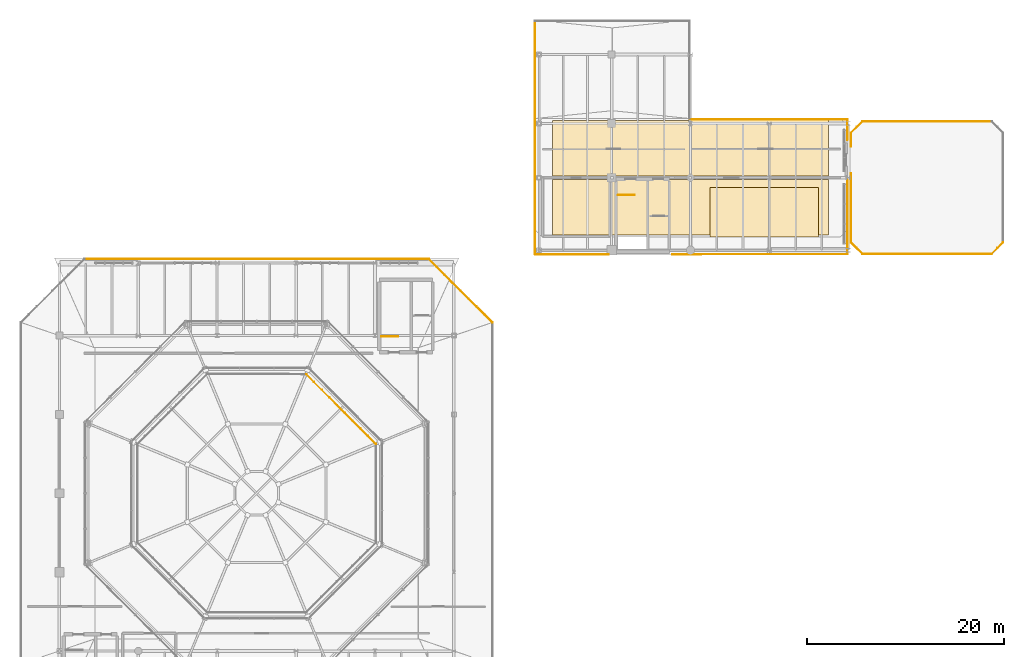
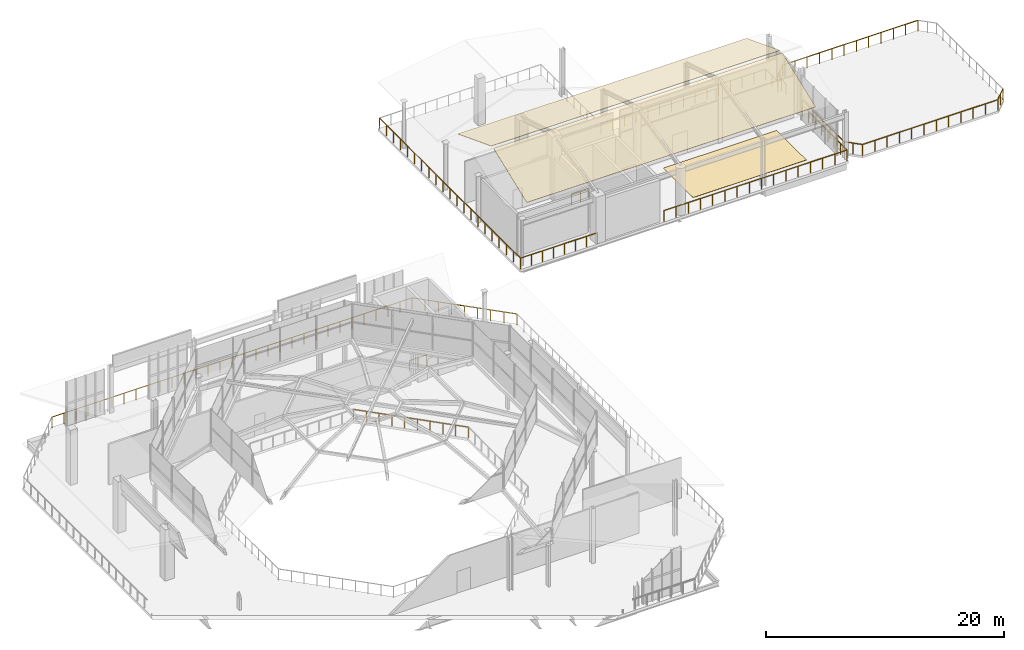
# One storey, part 29 of 30: 18 railings, 3 coverings.
"""IFC4 building model written with IfcOpenShell, lengths in metres."""

from ifc_helpers import new_model, si_unit, direction, frame, origin, origin_2d, place, context, subcontext, project, spatial, polyline, rectangle, circle, outline, extrude, material, layer, layer_set, type_object, element, save


model = new_model("IFC4")

# Units and contexts
model_context = context("Model", 3, precision=1e-05, world=origin(), true_north=direction((0.0, 1.0)))
body_context = subcontext(model_context, "Body", "Model", "MODEL_VIEW")
ifc_project = project(units=[si_unit("LENGTHUNIT", "METRE"), si_unit("AREAUNIT", "SQUARE_METRE"), si_unit("VOLUMEUNIT", "CUBIC_METRE"), si_unit("PLANEANGLEUNIT", "RADIAN"), si_unit("MASSUNIT", "GRAM", prefix="KILO")], contexts=[model_context])

# Site, building, storey
site_placement = place(None, origin())
site = spatial("IfcSite", under=ifc_project, at=site_placement, CompositionType="ELEMENT")
building_placement = place(site_placement, origin())
building = spatial("IfcBuilding", under=site, at=building_placement, Name="Brisemont Oceanarium", CompositionType="ELEMENT")
storey_placement = place(building_placement, frame((0.0, 0.0, 19.800048828125)))
storey = spatial("IfcBuildingStorey", under=building, at=storey_placement, Name="L04", CompositionType="ELEMENT", Elevation=19.800048828125)

# Coverings
ifc_material_1 = material(Name="Epoxy-Bound Recycled Glass Marine Terrazzo", Category="glass")
ifc_layer_1 = layer(ifc_material_1, 0.02490234375)
ifc_layer_set_1 = layer_set([ifc_layer_1], Name="Epoxy-Bound Recycled Glass Marine Terrazzo")
covering_type_1 = type_object("IfcCoveringType", Name="COV-FLR-TER", PredefinedType="FLOORING", material=ifc_layer_set_1)
covering_placement = place(storey_placement, frame((135.5, 84.5, 0.0), z_axis=(0.0, 0.0, 1.0), x_axis=(1.0, 0.0, 0.0)))
element("IfcCovering", 1, at=covering_placement, inside=storey, type_object=covering_type_1, Name="Marine terrazzo flooring FLG-V6-L04", PredefinedType="FLOORING", context=body_context, shape_type="SweptSolid", body=[
    extrude(rectangle(XDim=11.0, YDim=5.0, at=origin_2d()), origin(), (0.0, 0.0, 1.0), 0.02490234375),
])
ifc_material_2 = material(Name="Patinated Copper-Zinc Standing-Seam Sheet")
ifc_layer_2 = layer(ifc_material_2, 0.034912109375)
ifc_layer_set_2 = layer_set([ifc_layer_2], Name="Patinated Copper-Zinc Standing-Seam Sheet")
covering_type_2 = type_object("IfcCoveringType", Name="COV-ROOF-CUZN", PredefinedType="ROOFING", material=ifc_layer_set_2)
for number, where, z_axis, x_axis, name in (
    (2, (114.0, 82.199951171875, 5.0), (0.0, -0.358400824123, 0.933567806465), (1.0, 0.0, 0.0), "Patinated copper-zinc standing-seam roofing RFG-R7"),
    (3, (114.0, 88.199951171875, 7.14990234375), (0.0, 0.358400824123, 0.933567806465), (1.0, 0.0, 0.0), "Patinated copper-zinc standing-seam roofing RFG-R8"),
):
    element("IfcCovering", number, at=place(storey_placement, frame(where, z_axis=z_axis, x_axis=x_axis)), inside=storey, type_object=covering_type_2, Name=name, PredefinedType="ROOFING", context=body_context, shape_type="SweptSolid", body=[
        extrude(outline(polyline([(0.0, 0.0), (28.0, 0.0), (28.0, 5.998597656719317), (0.0, 5.998597656719317), (0.0, 0.0)])), origin(), (0.0, 0.0, -1.0), 0.034912109375),
    ])

# Railings
ifc_material_3 = material(Name="Beaux-Arts Limestone Balustrade Precast Concrete C40/50", Category="masonry")
railing_type_1 = type_object("IfcRailingType", Name="RLG-BAL-1140", PredefinedType="BALUSTRADE", material=ifc_material_3)
railing_1_placement = place(storey_placement, frame((144.2900390625, 92.562744140625, 0.0)))
element("IfcRailing", 4, at=railing_1_placement, inside=storey, type_object=railing_type_1, Name="L04 slab perimeter safety guard 236", PredefinedType="BALUSTRADE", context=body_context, shape_type="SweptSolid", body=[
    extrude(circle(Radius=0.02392578125, at=origin_2d()), frame((0.0, 0.0, 1.11572265625), z_axis=(0.707106781187, 0.707106781187, 0.0), x_axis=(-0.707106781187, 0.707106781187, 0.0)), (0.0, 0.0, 1.0), 1.622314453125),
    extrude(circle(Radius=0.02099609375, at=origin_2d()), origin(), (0.0, 0.0, 1.0), 1.091796875),
    extrude(circle(Radius=0.02099609375, at=origin_2d()), frame((0.57373046875, 0.57373046875, 0.0)), (0.0, 0.0, 1.0), 1.091796875),
    extrude(circle(Radius=0.02099609375, at=origin_2d()), frame((1.147216796875, 1.147216796875, 0.0)), (0.0, 0.0, 1.0), 1.091796875),
])
railing_2_placement = place(storey_placement, frame((159.7099609375, 81.437255859375, 0.0)))
element("IfcRailing", 5, at=railing_2_placement, inside=storey, type_object=railing_type_1, Name="L04 slab perimeter safety guard 240", PredefinedType="BALUSTRADE", context=body_context, shape_type="SweptSolid", body=[
    extrude(circle(Radius=0.02392578125, at=origin_2d()), frame((0.0, 0.0, 1.11572265625), z_axis=(-0.707106781187, -0.707106781187, 0.0), x_axis=(0.707106781187, -0.707106781187, 0.0)), (0.0, 0.0, 1.0), 1.622314453125),
    extrude(circle(Radius=0.02099609375, at=origin_2d()), origin(), (0.0, 0.0, 1.0), 1.091796875),
    extrude(circle(Radius=0.02099609375, at=origin_2d()), frame((-0.57373046875, -0.57373046875, 0.0)), (0.0, 0.0, 1.0), 1.091796875),
    extrude(circle(Radius=0.02099609375, at=origin_2d()), frame((-1.147216796875, -1.147216796875, 0.0)), (0.0, 0.0, 1.0), 1.091796875),
])
railing_3_placement = place(storey_placement, frame((143.90966796875, 87.75732421875, 0.0)))
element("IfcRailing", 6, at=railing_3_placement, inside=storey, type_object=railing_type_1, Name="L04 slab perimeter safety guard 248", PredefinedType="BALUSTRADE", context=body_context, shape_type="SweptSolid", body=[
    extrude(circle(Radius=0.02392578125, at=origin_2d()), frame((0.0, 0.0, 1.11572265625), z_axis=(3.2479132e-05, -0.999999999473, 0.0), x_axis=(0.999999999473, 3.2479132e-05, 0.0)), (0.0, 0.0, 1.0), 7.516845703125),
    extrude(circle(Radius=0.02099609375, at=origin_2d()), origin(), (0.0, 0.0, 1.0), 1.091796875),
    extrude(circle(Radius=0.02099609375, at=origin_2d()), frame((0.0, -1.07373046875, 0.0)), (0.0, 0.0, 1.0), 1.091796875),
    extrude(circle(Radius=0.02099609375, at=origin_2d()), frame((0.0, -2.147705078125, 0.0)), (0.0, 0.0, 1.0), 1.091796875),
    extrude(circle(Radius=0.02099609375, at=origin_2d()), frame((0.0, -3.221435546875, 0.0)), (0.0, 0.0, 1.0), 1.091796875),
    extrude(circle(Radius=0.02099609375, at=origin_2d()), frame((0.000244140625, -4.29541015625, 0.0)), (0.0, 0.0, 1.0), 1.091796875),
    extrude(circle(Radius=0.02099609375, at=origin_2d()), frame((0.000244140625, -5.369140625, 0.0)), (0.0, 0.0, 1.0), 1.091796875),
    extrude(circle(Radius=0.02099609375, at=origin_2d()), frame((0.000244140625, -6.443115234375, 0.0)), (0.0, 0.0, 1.0), 1.091796875),
    extrude(circle(Radius=0.02099609375, at=origin_2d()), frame((0.000244140625, -7.516845703125, 0.0)), (0.0, 0.0, 1.0), 1.091796875),
])
ifc_material_4 = material(Name="Duplex Stainless Steel EN 1.4462", Category="steel")
railing_type_2 = type_object("IfcRailingType", Name="RLG-GUARD-1120", PredefinedType="GUARDRAIL", material=ifc_material_4)
for number, where, name in (
    (7, (96.669921875, 71.909912109375, 0.0), "ST-02 L04 landing edge guard"),
    (8, (120.669921875, 86.239990234375, 0.0), "ST-07 L04 landing edge guard"),
):
    element("IfcRailing", number, at=place(storey_placement, frame(where)), inside=storey, type_object=railing_type_2, Name=name, PredefinedType="GUARDRAIL", context=body_context, shape_type="SweptSolid", body=[
        extrude(circle(Radius=0.02392578125, at=origin_2d()), frame((0.0, 0.0, 1.09619140625), z_axis=(1.0, 0.0, 0.0), x_axis=(0.0, 1.0, 0.0)), (0.0, 0.0, 1.0), 1.68017578125),
        extrude(circle(Radius=0.02099609375, at=origin_2d()), origin(), (0.0, 0.0, 1.0), 1.072021484375),
        extrude(circle(Radius=0.02099609375, at=origin_2d()), frame((0.840087890625, 0.0, 0.0)), (0.0, 0.0, 1.0), 1.072021484375),
        extrude(circle(Radius=0.02099609375, at=origin_2d()), frame((1.68017578125, 0.0, 0.0)), (0.0, 0.0, 1.0), 1.072021484375),
    ])
railing_4_placement = place(storey_placement, frame((144.2900390625, 81.437255859375, 0.0)))
element("IfcRailing", 9, at=railing_4_placement, inside=storey, type_object=railing_type_2, Name="L04 slab perimeter safety guard 234", PredefinedType="GUARDRAIL", context=body_context, shape_type="SweptSolid", body=[
    extrude(circle(Radius=0.02392578125, at=origin_2d()), frame((0.0, 0.0, 1.09619140625), z_axis=(0.0, 1.0, 0.0), x_axis=(-1.0, 0.0, 0.0)), (0.0, 0.0, 1.0), 7.0),
    extrude(circle(Radius=0.02099609375, at=origin_2d()), origin(), (0.0, 0.0, 1.0), 1.072021484375),
    extrude(circle(Radius=0.02099609375, at=origin_2d()), frame((0.0, 1.166748046875, 0.0)), (0.0, 0.0, 1.0), 1.072021484375),
    extrude(circle(Radius=0.02099609375, at=origin_2d()), frame((0.0, 2.333251953125, 0.0)), (0.0, 0.0, 1.0), 1.072021484375),
    extrude(circle(Radius=0.02099609375, at=origin_2d()), frame((0.0, 3.5, 0.0)), (0.0, 0.0, 1.0), 1.072021484375),
    extrude(circle(Radius=0.02099609375, at=origin_2d()), frame((0.0, 4.666748046875, 0.0)), (0.0, 0.0, 1.0), 1.072021484375),
    extrude(circle(Radius=0.02099609375, at=origin_2d()), frame((0.0, 5.833251953125, 0.0)), (0.0, 0.0, 1.0), 1.072021484375),
    extrude(circle(Radius=0.02099609375, at=origin_2d()), frame((0.0, 7.0, 0.0)), (0.0, 0.0, 1.0), 1.072021484375),
])
railing_5_placement = place(storey_placement, frame((144.2900390625, 91.162841796875, 0.0)))
element("IfcRailing", 10, at=railing_5_placement, inside=storey, type_object=railing_type_2, Name="L04 slab perimeter safety guard 235", PredefinedType="GUARDRAIL", context=body_context, shape_type="SweptSolid", body=[
    extrude(circle(Radius=0.02392578125, at=origin_2d()), frame((0.0, 0.0, 1.09619140625), z_axis=(0.0, 1.0, 0.0), x_axis=(-1.0, 0.0, 0.0)), (0.0, 0.0, 1.0), 1.39990234375),
    extrude(circle(Radius=0.02099609375, at=origin_2d()), origin(), (0.0, 0.0, 1.0), 1.072021484375),
    extrude(circle(Radius=0.02099609375, at=origin_2d()), frame((0.0, 0.699951171875, 0.0)), (0.0, 0.0, 1.0), 1.072021484375),
    extrude(circle(Radius=0.02099609375, at=origin_2d()), frame((0.0, 1.39990234375, 0.0)), (0.0, 0.0, 1.0), 1.072021484375),
])
railing_6_placement = place(storey_placement, frame((145.437255859375, 93.7099609375, 0.0)))
element("IfcRailing", 11, at=railing_6_placement, inside=storey, type_object=railing_type_2, Name="L04 slab perimeter safety guard 237", PredefinedType="GUARDRAIL", context=body_context, shape_type="SweptSolid", body=[
    extrude(circle(Radius=0.02392578125, at=origin_2d()), frame((0.0, 0.0, 1.09619140625), z_axis=(1.0, 0.0, 0.0), x_axis=(0.0, 1.0, 0.0)), (0.0, 0.0, 1.0), 13.12548828125),
    extrude(circle(Radius=0.02099609375, at=origin_2d()), origin(), (0.0, 0.0, 1.0), 1.072021484375),
    extrude(circle(Radius=0.02099609375, at=origin_2d()), frame((1.193115234375, 0.0, 0.0)), (0.0, 0.0, 1.0), 1.072021484375),
    extrude(circle(Radius=0.02099609375, at=origin_2d()), frame((2.386474609375, 0.0, 0.0)), (0.0, 0.0, 1.0), 1.072021484375),
    extrude(circle(Radius=0.02099609375, at=origin_2d()), frame((3.57958984375, 0.0, 0.0)), (0.0, 0.0, 1.0), 1.072021484375),
    extrude(circle(Radius=0.02099609375, at=origin_2d()), frame((4.77294921875, 0.0, 0.0)), (0.0, 0.0, 1.0), 1.072021484375),
    extrude(circle(Radius=0.02099609375, at=origin_2d()), frame((5.966064453125, 0.0, 0.0)), (0.0, 0.0, 1.0), 1.072021484375),
    extrude(circle(Radius=0.02099609375, at=origin_2d()), frame((7.159423828125, 0.0, 0.0)), (0.0, 0.0, 1.0), 1.072021484375),
    extrude(circle(Radius=0.02099609375, at=origin_2d()), frame((8.3525390625, 0.0, 0.0)), (0.0, 0.0, 1.0), 1.072021484375),
    extrude(circle(Radius=0.02099609375, at=origin_2d()), frame((9.5458984375, 0.0, 0.0)), (0.0, 0.0, 1.0), 1.072021484375),
    extrude(circle(Radius=0.02099609375, at=origin_2d()), frame((10.739013671875, 0.0, 0.0)), (0.0, 0.0, 1.0), 1.072021484375),
    extrude(circle(Radius=0.02099609375, at=origin_2d()), frame((11.932373046875, 0.0, 0.0)), (0.0, 0.0, 1.0), 1.072021484375),
    extrude(circle(Radius=0.02099609375, at=origin_2d()), frame((13.12548828125, 0.0, 0.0)), (0.0, 0.0, 1.0), 1.072021484375),
])
railing_7_placement = place(storey_placement, frame((158.562744140625, 80.2900390625, 0.0)))
element("IfcRailing", 12, at=railing_7_placement, inside=storey, type_object=railing_type_2, Name="L04 slab perimeter safety guard 241", PredefinedType="GUARDRAIL", context=body_context, shape_type="SweptSolid", body=[
    extrude(circle(Radius=0.02392578125, at=origin_2d()), frame((0.0, 0.0, 1.09619140625), z_axis=(-1.0, 0.0, 0.0), x_axis=(0.0, -1.0, 0.0)), (0.0, 0.0, 1.0), 13.12548828125),
    extrude(circle(Radius=0.02099609375, at=origin_2d()), origin(), (0.0, 0.0, 1.0), 1.072021484375),
    extrude(circle(Radius=0.02099609375, at=origin_2d()), frame((-1.193115234375, 0.0, 0.0)), (0.0, 0.0, 1.0), 1.072021484375),
    extrude(circle(Radius=0.02099609375, at=origin_2d()), frame((-2.386474609375, 0.0, 0.0)), (0.0, 0.0, 1.0), 1.072021484375),
    extrude(circle(Radius=0.02099609375, at=origin_2d()), frame((-3.57958984375, 0.0, 0.0)), (0.0, 0.0, 1.0), 1.072021484375),
    extrude(circle(Radius=0.02099609375, at=origin_2d()), frame((-4.77294921875, 0.0, 0.0)), (0.0, 0.0, 1.0), 1.072021484375),
    extrude(circle(Radius=0.02099609375, at=origin_2d()), frame((-5.966064453125, 0.0, 0.0)), (0.0, 0.0, 1.0), 1.072021484375),
    extrude(circle(Radius=0.02099609375, at=origin_2d()), frame((-7.159423828125, 0.0, 0.0)), (0.0, 0.0, 1.0), 1.072021484375),
    extrude(circle(Radius=0.02099609375, at=origin_2d()), frame((-8.3525390625, 0.0, 0.0)), (0.0, 0.0, 1.0), 1.072021484375),
    extrude(circle(Radius=0.02099609375, at=origin_2d()), frame((-9.5458984375, 0.0, 0.0)), (0.0, 0.0, 1.0), 1.072021484375),
    extrude(circle(Radius=0.02099609375, at=origin_2d()), frame((-10.739013671875, 0.0, 0.0)), (0.0, 0.0, 1.0), 1.072021484375),
    extrude(circle(Radius=0.02099609375, at=origin_2d()), frame((-11.932373046875, 0.0, 0.0)), (0.0, 0.0, 1.0), 1.072021484375),
    extrude(circle(Radius=0.02099609375, at=origin_2d()), frame((-13.12548828125, 0.0, 0.0)), (0.0, 0.0, 1.0), 1.072021484375),
])
railing_8_placement = place(storey_placement, frame((145.437255859375, 80.2900390625, 0.0)))
element("IfcRailing", 13, at=railing_8_placement, inside=storey, type_object=railing_type_2, Name="L04 slab perimeter safety guard 242", PredefinedType="GUARDRAIL", context=body_context, shape_type="SweptSolid", body=[
    extrude(circle(Radius=0.02392578125, at=origin_2d()), frame((0.0, 0.0, 1.09619140625), z_axis=(-0.707106781187, 0.707106781187, 0.0), x_axis=(-0.707106781187, -0.707106781187, 0.0)), (0.0, 0.0, 1.0), 1.622314453125),
    extrude(circle(Radius=0.02099609375, at=origin_2d()), origin(), (0.0, 0.0, 1.0), 1.072021484375),
    extrude(circle(Radius=0.02099609375, at=origin_2d()), frame((-0.57373046875, 0.57373046875, 0.0)), (0.0, 0.0, 1.0), 1.072021484375),
    extrude(circle(Radius=0.02099609375, at=origin_2d()), frame((-1.147216796875, 1.147216796875, 0.0)), (0.0, 0.0, 1.0), 1.072021484375),
])
railing_9_placement = place(storey_placement, frame((112.239990234375, 80.239990234375, 0.0)))
element("IfcRailing", 14, at=railing_9_placement, inside=storey, type_object=railing_type_2, Name="L04 slab perimeter safety guard 243", PredefinedType="GUARDRAIL", context=body_context, shape_type="SweptSolid", body=[
    extrude(circle(Radius=0.02392578125, at=origin_2d()), frame((0.0, 0.0, 1.09619140625), z_axis=(0.0, 1.0, 0.0), x_axis=(-1.0, 0.0, 0.0)), (0.0, 0.0, 1.0), 23.66943359375),
    extrude(circle(Radius=0.02099609375, at=origin_2d()), origin(), (0.0, 0.0, 1.0), 1.072021484375),
    extrude(circle(Radius=0.02099609375, at=origin_2d()), frame((0.0, 1.18359375, 0.0)), (0.0, 0.0, 1.0), 1.072021484375),
    extrude(circle(Radius=0.02099609375, at=origin_2d()), frame((0.0, 2.366943359375, 0.0)), (0.0, 0.0, 1.0), 1.072021484375),
    extrude(circle(Radius=0.02099609375, at=origin_2d()), frame((0.0, 3.55029296875, 0.0)), (0.0, 0.0, 1.0), 1.072021484375),
    extrude(circle(Radius=0.02099609375, at=origin_2d()), frame((0.0, 4.73388671875, 0.0)), (0.0, 0.0, 1.0), 1.072021484375),
    extrude(circle(Radius=0.02099609375, at=origin_2d()), frame((0.0, 5.91748046875, 0.0)), (0.0, 0.0, 1.0), 1.072021484375),
    extrude(circle(Radius=0.02099609375, at=origin_2d()), frame((0.0, 7.100830078125, 0.0)), (0.0, 0.0, 1.0), 1.072021484375),
    extrude(circle(Radius=0.02099609375, at=origin_2d()), frame((0.0, 8.2841796875, 0.0)), (0.0, 0.0, 1.0), 1.072021484375),
    extrude(circle(Radius=0.02099609375, at=origin_2d()), frame((0.0, 9.4677734375, 0.0)), (0.0, 0.0, 1.0), 1.072021484375),
    extrude(circle(Radius=0.02099609375, at=origin_2d()), frame((0.0, 10.6513671875, 0.0)), (0.0, 0.0, 1.0), 1.072021484375),
    extrude(circle(Radius=0.02099609375, at=origin_2d()), frame((0.0, 11.834716796875, 0.0)), (0.0, 0.0, 1.0), 1.072021484375),
    extrude(circle(Radius=0.02099609375, at=origin_2d()), frame((0.0, 13.018310546875, 0.0)), (0.0, 0.0, 1.0), 1.072021484375),
    extrude(circle(Radius=0.02099609375, at=origin_2d()), frame((0.0, 14.20166015625, 0.0)), (0.0, 0.0, 1.0), 1.072021484375),
    extrude(circle(Radius=0.02099609375, at=origin_2d()), frame((0.0, 15.38525390625, 0.0)), (0.0, 0.0, 1.0), 1.072021484375),
    extrude(circle(Radius=0.02099609375, at=origin_2d()), frame((0.0, 16.568603515625, 0.0)), (0.0, 0.0, 1.0), 1.072021484375),
    extrude(circle(Radius=0.02099609375, at=origin_2d()), frame((0.0, 17.751953125, 0.0)), (0.0, 0.0, 1.0), 1.072021484375),
    extrude(circle(Radius=0.02099609375, at=origin_2d()), frame((0.0, 18.935546875, 0.0)), (0.0, 0.0, 1.0), 1.072021484375),
    extrude(circle(Radius=0.02099609375, at=origin_2d()), frame((0.0, 20.119140625, 0.0)), (0.0, 0.0, 1.0), 1.072021484375),
    extrude(circle(Radius=0.02099609375, at=origin_2d()), frame((0.0, 21.302490234375, 0.0)), (0.0, 0.0, 1.0), 1.072021484375),
    extrude(circle(Radius=0.02099609375, at=origin_2d()), frame((0.0, 22.48583984375, 0.0)), (0.0, 0.0, 1.0), 1.072021484375),
    extrude(circle(Radius=0.02099609375, at=origin_2d()), frame((0.0, 23.66943359375, 0.0)), (0.0, 0.0, 1.0), 1.072021484375),
])
railing_10_placement = place(storey_placement, frame((127.95361328125, 93.932373046875, 0.0)))
element("IfcRailing", 15, at=railing_10_placement, inside=storey, type_object=railing_type_2, Name="L04 slab perimeter safety guard 246", PredefinedType="GUARDRAIL", context=body_context, shape_type="SweptSolid", body=[
    extrude(circle(Radius=0.02392578125, at=origin_2d()), frame((0.0, 0.0, 1.09619140625), z_axis=(0.999999009197, -0.001407695032, 0.0), x_axis=(0.001407695032, 0.999999009197, 0.0)), (0.0, 0.0, 1.0), 15.955810546875),
    extrude(circle(Radius=0.02099609375, at=origin_2d()), origin(), (0.0, 0.0, 1.0), 1.072021484375),
    extrude(circle(Radius=0.02099609375, at=origin_2d()), frame((1.1396484375, -0.001708984375, 0.0)), (0.0, 0.0, 1.0), 1.072021484375),
    extrude(circle(Radius=0.02099609375, at=origin_2d()), frame((2.279296875, -0.003173828125, 0.0)), (0.0, 0.0, 1.0), 1.072021484375),
    extrude(circle(Radius=0.02099609375, at=origin_2d()), frame((3.419189453125, -0.0048828125, 0.0)), (0.0, 0.0, 1.0), 1.072021484375),
    extrude(circle(Radius=0.02099609375, at=origin_2d()), frame((4.558837890625, -0.00634765625, 0.0)), (0.0, 0.0, 1.0), 1.072021484375),
    extrude(circle(Radius=0.02099609375, at=origin_2d()), frame((5.698486328125, -0.008056640625, 0.0)), (0.0, 0.0, 1.0), 1.072021484375),
    extrude(circle(Radius=0.02099609375, at=origin_2d()), frame((6.838134765625, -0.009521484375, 0.0)), (0.0, 0.0, 1.0), 1.072021484375),
    extrude(circle(Radius=0.02099609375, at=origin_2d()), frame((7.97802734375, -0.01123046875, 0.0)), (0.0, 0.0, 1.0), 1.072021484375),
    extrude(circle(Radius=0.02099609375, at=origin_2d()), frame((9.11767578125, -0.012939453125, 0.0)), (0.0, 0.0, 1.0), 1.072021484375),
    extrude(circle(Radius=0.02099609375, at=origin_2d()), frame((10.25732421875, -0.014404296875, 0.0)), (0.0, 0.0, 1.0), 1.072021484375),
    extrude(circle(Radius=0.02099609375, at=origin_2d()), frame((11.39697265625, -0.01611328125, 0.0)), (0.0, 0.0, 1.0), 1.072021484375),
    extrude(circle(Radius=0.02099609375, at=origin_2d()), frame((12.53662109375, -0.017578125, 0.0)), (0.0, 0.0, 1.0), 1.072021484375),
    extrude(circle(Radius=0.02099609375, at=origin_2d()), frame((13.676513671875, -0.019287109375, 0.0)), (0.0, 0.0, 1.0), 1.072021484375),
    extrude(circle(Radius=0.02099609375, at=origin_2d()), frame((14.816162109375, -0.020751953125, 0.0)), (0.0, 0.0, 1.0), 1.072021484375),
    extrude(circle(Radius=0.02099609375, at=origin_2d()), frame((15.955810546875, -0.0224609375, 0.0)), (0.0, 0.0, 1.0), 1.072021484375),
])
railing_11_placement = place(storey_placement, frame((143.909423828125, 93.909912109375, 0.0)))
element("IfcRailing", 16, at=railing_11_placement, inside=storey, type_object=railing_type_2, Name="L04 slab perimeter safety guard 247", PredefinedType="GUARDRAIL", context=body_context, shape_type="SweptSolid", body=[
    extrude(circle(Radius=0.02392578125, at=origin_2d()), frame((0.0, 0.0, 1.09619140625), z_axis=(0.000118105586, -0.999999993026, 0.0), x_axis=(0.999999993026, 0.000118105586, 0.0)), (0.0, 0.0, 1.0), 2.067138671875),
    extrude(circle(Radius=0.02099609375, at=origin_2d()), origin(), (0.0, 0.0, 1.0), 1.072021484375),
    extrude(circle(Radius=0.02099609375, at=origin_2d()), frame((0.0, -1.03369140625, 0.0)), (0.0, 0.0, 1.0), 1.072021484375),
    extrude(circle(Radius=0.02099609375, at=origin_2d()), frame((0.000244140625, -2.067138671875, 0.0)), (0.0, 0.0, 1.0), 1.072021484375),
])
railing_12_placement = place(storey_placement, frame((143.909912109375, 80.240478515625, 0.0)))
element("IfcRailing", 17, at=railing_12_placement, inside=storey, type_object=railing_type_2, Name="L04 slab perimeter safety guard 249", PredefinedType="GUARDRAIL", context=body_context, shape_type="SweptSolid", body=[
    extrude(circle(Radius=0.02392578125, at=origin_2d()), frame((0.0, 0.0, 1.09619140625), z_axis=(-0.999999999906, -1.3746649e-05, 0.0), x_axis=(1.3746649e-05, -0.999999999906, 0.0)), (0.0, 0.0, 1.0), 17.760009765625),
    extrude(circle(Radius=0.02099609375, at=origin_2d()), origin(), (0.0, 0.0, 1.0), 1.072021484375),
    extrude(circle(Radius=0.02099609375, at=origin_2d()), frame((-1.18408203125, 0.0, 0.0)), (0.0, 0.0, 1.0), 1.072021484375),
    extrude(circle(Radius=0.02099609375, at=origin_2d()), frame((-2.367919921875, 0.0, 0.0)), (0.0, 0.0, 1.0), 1.072021484375),
    extrude(circle(Radius=0.02099609375, at=origin_2d()), frame((-3.552001953125, 0.0, 0.0)), (0.0, 0.0, 1.0), 1.072021484375),
    extrude(circle(Radius=0.02099609375, at=origin_2d()), frame((-4.736083984375, 0.0, 0.0)), (0.0, 0.0, 1.0), 1.072021484375),
    extrude(circle(Radius=0.02099609375, at=origin_2d()), frame((-5.919921875, 0.0, 0.0)), (0.0, 0.0, 1.0), 1.072021484375),
    extrude(circle(Radius=0.02099609375, at=origin_2d()), frame((-7.10400390625, 0.0, 0.0)), (0.0, 0.0, 1.0), 1.072021484375),
    extrude(circle(Radius=0.02099609375, at=origin_2d()), frame((-8.2880859375, 0.0, 0.0)), (0.0, 0.0, 1.0), 1.072021484375),
    extrude(circle(Radius=0.02099609375, at=origin_2d()), frame((-9.471923828125, -0.000244140625, 0.0)), (0.0, 0.0, 1.0), 1.072021484375),
    extrude(circle(Radius=0.02099609375, at=origin_2d()), frame((-10.656005859375, -0.000244140625, 0.0)), (0.0, 0.0, 1.0), 1.072021484375),
    extrude(circle(Radius=0.02099609375, at=origin_2d()), frame((-11.840087890625, -0.000244140625, 0.0)), (0.0, 0.0, 1.0), 1.072021484375),
    extrude(circle(Radius=0.02099609375, at=origin_2d()), frame((-13.02392578125, -0.000244140625, 0.0)), (0.0, 0.0, 1.0), 1.072021484375),
    extrude(circle(Radius=0.02099609375, at=origin_2d()), frame((-14.2080078125, -0.000244140625, 0.0)), (0.0, 0.0, 1.0), 1.072021484375),
    extrude(circle(Radius=0.02099609375, at=origin_2d()), frame((-15.39208984375, -0.000244140625, 0.0)), (0.0, 0.0, 1.0), 1.072021484375),
    extrude(circle(Radius=0.02099609375, at=origin_2d()), frame((-16.575927734375, -0.000244140625, 0.0)), (0.0, 0.0, 1.0), 1.072021484375),
    extrude(circle(Radius=0.02099609375, at=origin_2d()), frame((-17.760009765625, -0.000244140625, 0.0)), (0.0, 0.0, 1.0), 1.072021484375),
])
railing_13_placement = place(storey_placement, frame((119.703125, 80.239990234375, 0.0)))
element("IfcRailing", 18, at=railing_13_placement, inside=storey, type_object=railing_type_2, Name="L04 slab perimeter safety guard 250", PredefinedType="GUARDRAIL", context=body_context, shape_type="SweptSolid", body=[
    extrude(circle(Radius=0.02392578125, at=origin_2d()), frame((0.0, 0.0, 1.09619140625), z_axis=(-1.0, 0.0, 0.0), x_axis=(0.0, -1.0, 0.0)), (0.0, 0.0, 1.0), 7.463134765625),
    extrude(circle(Radius=0.02099609375, at=origin_2d()), origin(), (0.0, 0.0, 1.0), 1.072021484375),
    extrude(circle(Radius=0.02099609375, at=origin_2d()), frame((-1.066162109375, 0.0, 0.0)), (0.0, 0.0, 1.0), 1.072021484375),
    extrude(circle(Radius=0.02099609375, at=origin_2d()), frame((-2.13232421875, 0.0, 0.0)), (0.0, 0.0, 1.0), 1.072021484375),
    extrude(circle(Radius=0.02099609375, at=origin_2d()), frame((-3.198486328125, 0.0, 0.0)), (0.0, 0.0, 1.0), 1.072021484375),
    extrude(circle(Radius=0.02099609375, at=origin_2d()), frame((-4.2646484375, 0.0, 0.0)), (0.0, 0.0, 1.0), 1.072021484375),
    extrude(circle(Radius=0.02099609375, at=origin_2d()), frame((-5.330810546875, 0.0, 0.0)), (0.0, 0.0, 1.0), 1.072021484375),
    extrude(circle(Radius=0.02099609375, at=origin_2d()), frame((-6.39697265625, 0.0, 0.0)), (0.0, 0.0, 1.0), 1.072021484375),
    extrude(circle(Radius=0.02099609375, at=origin_2d()), frame((-7.463134765625, 0.0, 0.0)), (0.0, 0.0, 1.0), 1.072021484375),
])
railing_14_placement = place(storey_placement, frame((66.537353515625, 79.760009765625, 0.0)))
element("IfcRailing", 19, at=railing_14_placement, inside=storey, type_object=railing_type_2, Name="L04 slab perimeter safety guard 253", PredefinedType="GUARDRAIL", context=body_context, shape_type="SweptSolid", body=[
    extrude(circle(Radius=0.02392578125, at=origin_2d()), frame((0.0, 0.0, 1.09619140625), z_axis=(1.0, 0.0, 0.0), x_axis=(0.0, 1.0, 0.0)), (0.0, 0.0, 1.0), 34.92529296875),
    extrude(circle(Radius=0.02099609375, at=origin_2d()), origin(), (0.0, 0.0, 1.0), 1.072021484375),
    extrude(circle(Radius=0.02099609375, at=origin_2d()), frame((1.1640625, 0.0, 0.0)), (0.0, 0.0, 1.0), 1.072021484375),
    extrude(circle(Radius=0.02099609375, at=origin_2d()), frame((2.328369140625, 0.0, 0.0)), (0.0, 0.0, 1.0), 1.072021484375),
    extrude(circle(Radius=0.02099609375, at=origin_2d()), frame((3.492431640625, 0.0, 0.0)), (0.0, 0.0, 1.0), 1.072021484375),
    extrude(circle(Radius=0.02099609375, at=origin_2d()), frame((4.65673828125, 0.0, 0.0)), (0.0, 0.0, 1.0), 1.072021484375),
    extrude(circle(Radius=0.02099609375, at=origin_2d()), frame((5.82080078125, 0.0, 0.0)), (0.0, 0.0, 1.0), 1.072021484375),
    extrude(circle(Radius=0.02099609375, at=origin_2d()), frame((6.985107421875, 0.0, 0.0)), (0.0, 0.0, 1.0), 1.072021484375),
    extrude(circle(Radius=0.02099609375, at=origin_2d()), frame((8.149169921875, 0.0, 0.0)), (0.0, 0.0, 1.0), 1.072021484375),
    extrude(circle(Radius=0.02099609375, at=origin_2d()), frame((9.3134765625, 0.0, 0.0)), (0.0, 0.0, 1.0), 1.072021484375),
    extrude(circle(Radius=0.02099609375, at=origin_2d()), frame((10.4775390625, 0.0, 0.0)), (0.0, 0.0, 1.0), 1.072021484375),
    extrude(circle(Radius=0.02099609375, at=origin_2d()), frame((11.641845703125, 0.0, 0.0)), (0.0, 0.0, 1.0), 1.072021484375),
    extrude(circle(Radius=0.02099609375, at=origin_2d()), frame((12.805908203125, 0.0, 0.0)), (0.0, 0.0, 1.0), 1.072021484375),
    extrude(circle(Radius=0.02099609375, at=origin_2d()), frame((13.97021484375, 0.0, 0.0)), (0.0, 0.0, 1.0), 1.072021484375),
    extrude(circle(Radius=0.02099609375, at=origin_2d()), frame((15.13427734375, 0.0, 0.0)), (0.0, 0.0, 1.0), 1.072021484375),
    extrude(circle(Radius=0.02099609375, at=origin_2d()), frame((16.298583984375, 0.0, 0.0)), (0.0, 0.0, 1.0), 1.072021484375),
    extrude(circle(Radius=0.02099609375, at=origin_2d()), frame((17.462646484375, 0.0, 0.0)), (0.0, 0.0, 1.0), 1.072021484375),
    extrude(circle(Radius=0.02099609375, at=origin_2d()), frame((18.626708984375, 0.0, 0.0)), (0.0, 0.0, 1.0), 1.072021484375),
    extrude(circle(Radius=0.02099609375, at=origin_2d()), frame((19.791015625, 0.0, 0.0)), (0.0, 0.0, 1.0), 1.072021484375),
    extrude(circle(Radius=0.02099609375, at=origin_2d()), frame((20.955078125, 0.0, 0.0)), (0.0, 0.0, 1.0), 1.072021484375),
    extrude(circle(Radius=0.02099609375, at=origin_2d()), frame((22.119384765625, 0.0, 0.0)), (0.0, 0.0, 1.0), 1.072021484375),
    extrude(circle(Radius=0.02099609375, at=origin_2d()), frame((23.283447265625, 0.0, 0.0)), (0.0, 0.0, 1.0), 1.072021484375),
    extrude(circle(Radius=0.02099609375, at=origin_2d()), frame((24.44775390625, 0.0, 0.0)), (0.0, 0.0, 1.0), 1.072021484375),
    extrude(circle(Radius=0.02099609375, at=origin_2d()), frame((25.61181640625, 0.0, 0.0)), (0.0, 0.0, 1.0), 1.072021484375),
    extrude(circle(Radius=0.02099609375, at=origin_2d()), frame((26.776123046875, 0.0, 0.0)), (0.0, 0.0, 1.0), 1.072021484375),
    extrude(circle(Radius=0.02099609375, at=origin_2d()), frame((27.940185546875, 0.0, 0.0)), (0.0, 0.0, 1.0), 1.072021484375),
    extrude(circle(Radius=0.02099609375, at=origin_2d()), frame((29.1044921875, 0.0, 0.0)), (0.0, 0.0, 1.0), 1.072021484375),
    extrude(circle(Radius=0.02099609375, at=origin_2d()), frame((30.2685546875, 0.0, 0.0)), (0.0, 0.0, 1.0), 1.072021484375),
    extrude(circle(Radius=0.02099609375, at=origin_2d()), frame((31.432861328125, 0.0, 0.0)), (0.0, 0.0, 1.0), 1.072021484375),
    extrude(circle(Radius=0.02099609375, at=origin_2d()), frame((32.596923828125, 0.0, 0.0)), (0.0, 0.0, 1.0), 1.072021484375),
    extrude(circle(Radius=0.02099609375, at=origin_2d()), frame((33.76123046875, 0.0, 0.0)), (0.0, 0.0, 1.0), 1.072021484375),
    extrude(circle(Radius=0.02099609375, at=origin_2d()), frame((34.92529296875, 0.0, 0.0)), (0.0, 0.0, 1.0), 1.072021484375),
])
railing_15_placement = place(storey_placement, frame((101.462646484375, 79.760009765625, 0.0)))
element("IfcRailing", 20, at=railing_15_placement, inside=storey, type_object=railing_type_2, Name="L04 slab perimeter safety guard 254", PredefinedType="GUARDRAIL", context=body_context, shape_type="SweptSolid", body=[
    extrude(circle(Radius=0.02392578125, at=origin_2d()), frame((0.0, 0.0, 1.09619140625), z_axis=(0.707106781187, -0.707106781187, 0.0), x_axis=(0.707106781187, 0.707106781187, 0.0)), (0.0, 0.0, 1.0), 9.117919921875),
    extrude(circle(Radius=0.02099609375, at=origin_2d()), origin(), (0.0, 0.0, 1.0), 1.072021484375),
    extrude(circle(Radius=0.02099609375, at=origin_2d()), frame((0.805908203125, -0.805908203125, 0.0)), (0.0, 0.0, 1.0), 1.072021484375),
    extrude(circle(Radius=0.02099609375, at=origin_2d()), frame((1.61181640625, -1.61181640625, 0.0)), (0.0, 0.0, 1.0), 1.072021484375),
    extrude(circle(Radius=0.02099609375, at=origin_2d()), frame((2.417724609375, -2.417724609375, 0.0)), (0.0, 0.0, 1.0), 1.072021484375),
    extrude(circle(Radius=0.02099609375, at=origin_2d()), frame((3.2236328125, -3.2236328125, 0.0)), (0.0, 0.0, 1.0), 1.072021484375),
    extrude(circle(Radius=0.02099609375, at=origin_2d()), frame((4.029541015625, -4.029541015625, 0.0)), (0.0, 0.0, 1.0), 1.072021484375),
    extrude(circle(Radius=0.02099609375, at=origin_2d()), frame((4.83544921875, -4.83544921875, 0.0)), (0.0, 0.0, 1.0), 1.072021484375),
    extrude(circle(Radius=0.02099609375, at=origin_2d()), frame((5.641357421875, -5.641357421875, 0.0)), (0.0, 0.0, 1.0), 1.072021484375),
    extrude(circle(Radius=0.02099609375, at=origin_2d()), frame((6.447265625, -6.447265625, 0.0)), (0.0, 0.0, 1.0), 1.072021484375),
])
railing_16_placement = place(storey_placement, frame((96.093505859375, 61.004638671875, 0.0)))
element("IfcRailing", 21, at=railing_16_placement, inside=storey, type_object=railing_type_2, Name="L04 slab perimeter safety guard 267", PredefinedType="GUARDRAIL", context=body_context, shape_type="SweptSolid", body=[
    extrude(circle(Radius=0.02392578125, at=origin_2d()), frame((0.0, 0.0, 1.09619140625), z_axis=(-0.706384688474, 0.707828137254, 0.0), x_axis=(-0.707828137254, -0.706384688474, 0.0)), (0.0, 0.0, 1.0), 9.97900390625),
    extrude(circle(Radius=0.02099609375, at=origin_2d()), origin(), (0.0, 0.0, 1.0), 1.072021484375),
    extrude(circle(Radius=0.02099609375, at=origin_2d()), frame((-0.783203125, 0.784912109375, 0.0)), (0.0, 0.0, 1.0), 1.072021484375),
    extrude(circle(Radius=0.02099609375, at=origin_2d()), frame((-1.56640625, 1.569580078125, 0.0)), (0.0, 0.0, 1.0), 1.072021484375),
    extrude(circle(Radius=0.02099609375, at=origin_2d()), frame((-2.349609375, 2.3544921875, 0.0)), (0.0, 0.0, 1.0), 1.072021484375),
    extrude(circle(Radius=0.02099609375, at=origin_2d()), frame((-3.1328125, 3.139404296875, 0.0)), (0.0, 0.0, 1.0), 1.072021484375),
    extrude(circle(Radius=0.02099609375, at=origin_2d()), frame((-3.916259765625, 3.924072265625, 0.0)), (0.0, 0.0, 1.0), 1.072021484375),
    extrude(circle(Radius=0.02099609375, at=origin_2d()), frame((-4.699462890625, 4.708984375, 0.0)), (0.0, 0.0, 1.0), 1.072021484375),
    extrude(circle(Radius=0.02099609375, at=origin_2d()), frame((-5.482666015625, 5.493896484375, 0.0)), (0.0, 0.0, 1.0), 1.072021484375),
    extrude(circle(Radius=0.02099609375, at=origin_2d()), frame((-6.265869140625, 6.278564453125, 0.0)), (0.0, 0.0, 1.0), 1.072021484375),
    extrude(circle(Radius=0.02099609375, at=origin_2d()), frame((-7.049072265625, 7.0634765625, 0.0)), (0.0, 0.0, 1.0), 1.072021484375),
])

save(model, "model.ifc")
